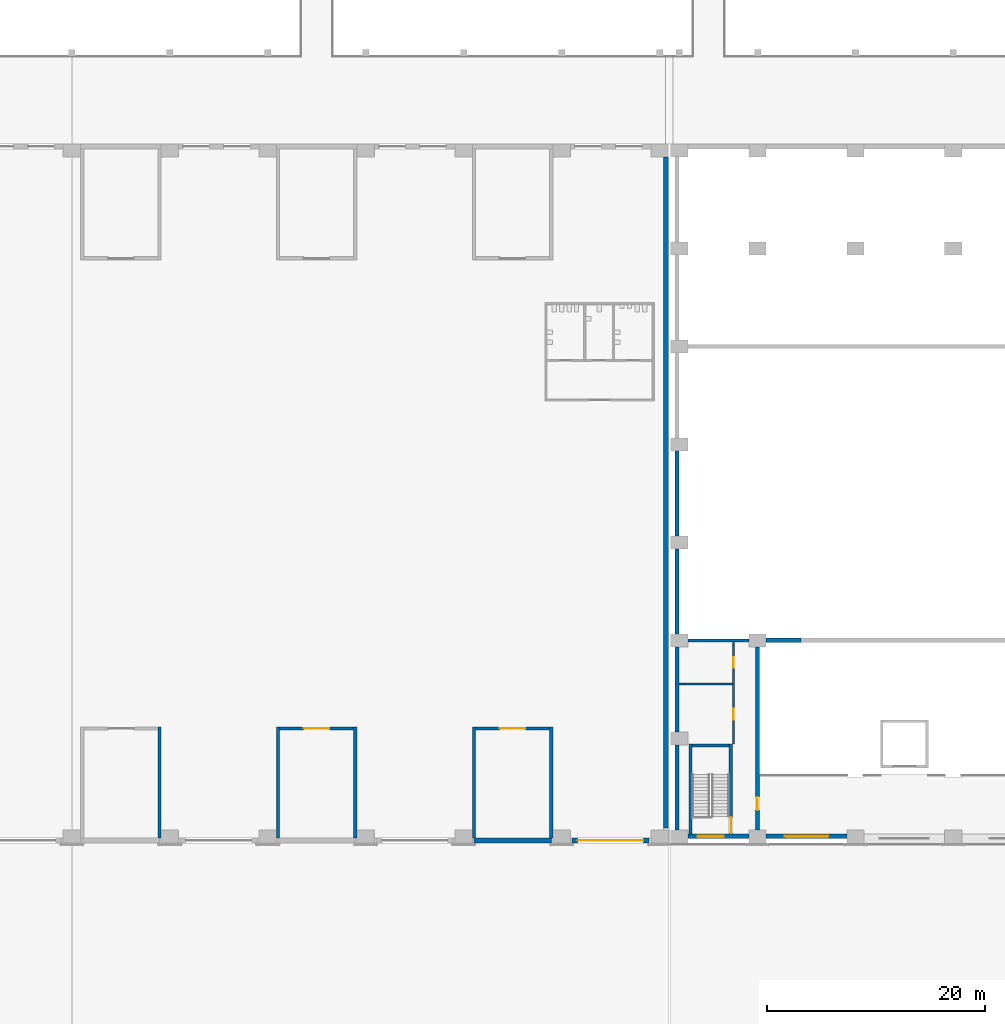
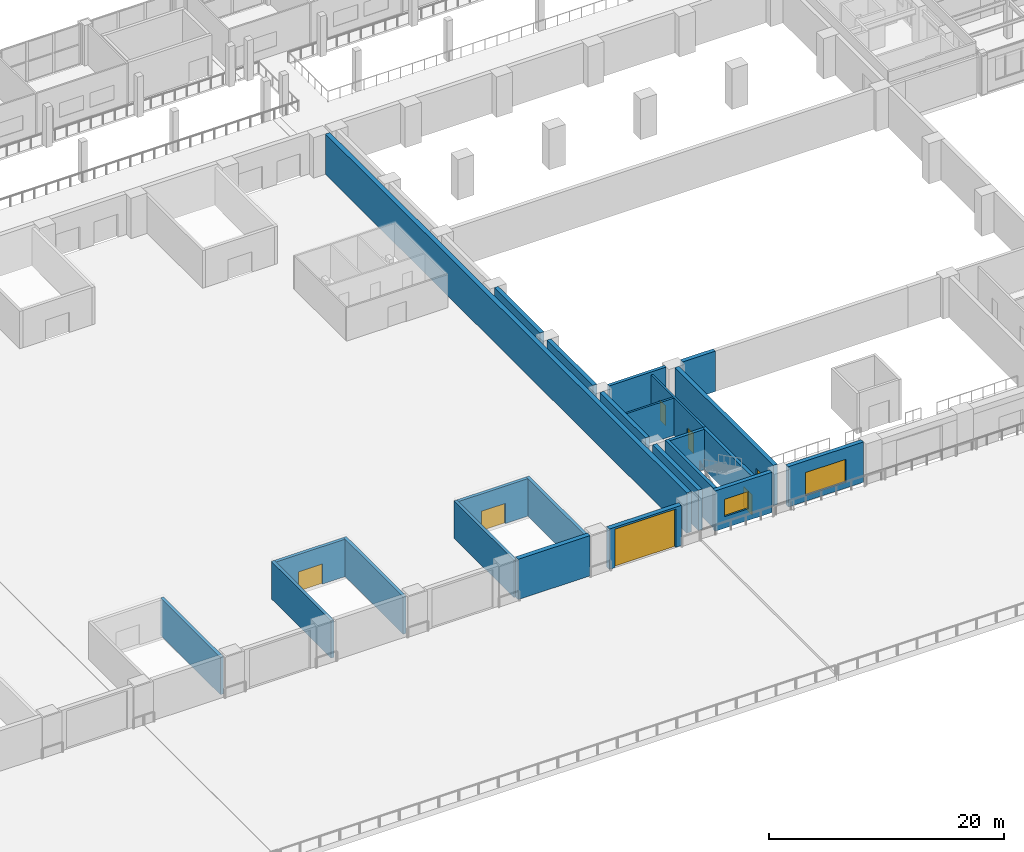
# One storey, part 16 of 39: 24 walls, 7 doors, 2 windows, 9 openings.
"""IFC4 building model written with IfcOpenShell, lengths in metres."""

from ifc_helpers import new_model, si_unit, direction, frame, frame_2d, origin, place, context, subcontext, project, spatial, rectangle, extrude, material, layer, layer_set, type_object, element, fill, save


model = new_model("IFC4")

# Units and contexts
model_context = context("Model", 3, precision=1e-05, world=origin(), true_north=direction((0.0, 1.0)))
body_context = subcontext(model_context, "Body", "Model", "MODEL_VIEW")
ifc_project = project(units=[si_unit("LENGTHUNIT", "METRE"), si_unit("AREAUNIT", "SQUARE_METRE"), si_unit("VOLUMEUNIT", "CUBIC_METRE"), si_unit("PLANEANGLEUNIT", "RADIAN"), si_unit("MASSUNIT", "GRAM", prefix="KILO")], contexts=[model_context])

# Site, building, storey
site_placement = place(None, origin())
site = spatial("IfcSite", under=ifc_project, at=site_placement, CompositionType="ELEMENT")
building_placement = place(site_placement, origin())
building = spatial("IfcBuilding", under=site, at=building_placement, Name="Aravalli Gate Trade Fair Centre", CompositionType="ELEMENT")
storey_placement = place(building_placement, frame((0.0, 0.0, 15.0)))
storey = spatial("IfcBuildingStorey", under=building, at=storey_placement, Name="L03", CompositionType="ELEMENT", Elevation=15.0)

# Walls
ifc_material_1 = material(Name="Concrete M40", Category="concrete")
ifc_layer_1 = layer(ifc_material_1, 0.300048828125)
ifc_layer_set_1 = layer_set([ifc_layer_1], Name="Concrete M40")
wall_type_1 = type_object("IfcWallType", Name="Congress RC wall 300", PredefinedType="SHEAR", material=ifc_layer_set_1)
wall_1_placement = place(storey_placement, frame((107.60009765625, 64.0, 0.0), z_axis=(0.0, 0.0, 1.0), x_axis=(1.0, 0.0, 0.0)))
element("IfcWall", 1, at=wall_1_placement, inside=storey, type_object=wall_type_1, Name="Stage wing north wall W L03", PredefinedType="SHEAR", context=body_context, shape_type="SweptSolid", body=[
    extrude(rectangle(XDim=5.599853515625, YDim=0.300048828125, at=frame_2d((2.7998046875, 0.0))), origin(), (0.0, 0.0, 1.0), 4.199951171875),
])
wall_2_placement = place(storey_placement, frame((107.85009765625, 46.199951171875, 0.0), z_axis=(0.0, 0.0, 1.0), x_axis=(0.0, 1.0, 0.0)))
element("IfcWall", 2, at=wall_2_placement, inside=storey, type_object=wall_type_1, Name="Stage Stair West wall W L03", PredefinedType="SHEAR", context=body_context, shape_type="SweptSolid", body=[
    extrude(rectangle(XDim=8.300048828125, YDim=0.300048828125, at=frame_2d((4.14990234375, 0.0))), origin(), (0.0, 0.0, 1.0), 4.199951171875),
])

# Wall, opening, door
wall_3_placement = place(storey_placement, frame((111.550048828125, 46.199951171875, 0.0), z_axis=(0.0, 0.0, 1.0), x_axis=(0.0, 1.0, 0.0)))
wall_3 = element("IfcWall", 3, at=wall_3_placement, inside=storey, type_object=wall_type_1, Name="Stage Stair West wall E L03", PredefinedType="SHEAR", context=body_context, shape_type="SweptSolid", body=[
    extrude(rectangle(XDim=8.300048828125, YDim=0.300048828125, at=frame_2d((4.14990234375, 0.0))), origin(), (0.0, 0.0, 1.0), 4.199951171875),
])
opening_1_placement = place(wall_3_placement, frame((0.0849609375, 0.0, 0.0)))
opening_1 = element("IfcOpeningElement", 4, at=opening_1_placement, cuts=wall_3, Name="Opening G-L03-04", PredefinedType="OPENING", context=body_context, shape_type="SweptSolid", body=[
    extrude(rectangle(XDim=1.449951171875, YDim=2.10009765625, at=frame_2d((0.72509765625, 1.050048828125))), frame((0.0, 0.159912109375, 0.0), z_axis=(0.0, -1.0, 0.0), x_axis=(1.0, 0.0, 0.0)), (0.0, 0.0, 1.0), 0.320068359375),
])
ifc_material_2 = material(Name="Steel, fire rated", Category="steel")
door_type_1 = type_object("IfcDoorType", Name="Congress fire door FD120 1450 x 2100", OperationType="SINGLE_SWING_LEFT", PredefinedType="DOOR", material=ifc_material_2)
door_1_placement = place(opening_1_placement, origin())
door_1 = element("IfcDoor", 5, at=door_1_placement, inside=storey, type_object=door_type_1, Name="Stage Stair West door L03", OperationType="SINGLE_SWING_LEFT", OverallHeight=2.10009765625, OverallWidth=1.449951171875, PredefinedType="DOOR", context=body_context, shape_type="SweptSolid", body=[
    extrude(rectangle(XDim=1.449951171875, YDim=2.10009765625, at=frame_2d((0.72509765625, 1.050048828125))), frame((0.0, 0.02490234375, 0.0), z_axis=(0.0, -1.0, 0.0), x_axis=(1.0, 0.0, 0.0)), (0.0, 0.0, 1.0), 0.050048828125),
])
fill(opening_1, door_1)

# Wall
wall_4_placement = place(storey_placement, frame((108.0, 54.35009765625, 0.0), z_axis=(0.0, 0.0, 1.0), x_axis=(1.0, 0.0, 0.0)))
element("IfcWall", 6, at=wall_4_placement, inside=storey, type_object=wall_type_1, Name="Stage Stair West wall N L03", PredefinedType="SHEAR", context=body_context, shape_type="SweptSolid", body=[
    extrude(rectangle(XDim=3.39990234375, YDim=0.300048828125, at=frame_2d((1.699951171875, 0.0))), origin(), (0.0, 0.0, 1.0), 4.199951171875),
])

# Wall, opening, door
ifc_layer_2 = layer(ifc_material_1, 0.39990234375)
ifc_layer_set_2 = layer_set([ifc_layer_2], Name="Concrete M40")
wall_type_2 = type_object("IfcWallType", Name="Congress RC wall 400", PredefinedType="SHEAR", material=ifc_layer_set_2)
wall_5_placement = place(storey_placement, frame((114.0, 46.60009765625, 0.0), z_axis=(0.0, 0.0, 1.0), x_axis=(0.0, 1.0, 0.0)))
wall_5 = element("IfcWall", 7, at=wall_5_placement, inside=storey, type_object=wall_type_2, Name="Stage house wall line 114 L03", PredefinedType="SHEAR", context=body_context, shape_type="SweptSolid", body=[
    extrude(rectangle(XDim=16.7998046875, YDim=0.39990234375, at=frame_2d((8.39990234375, 0.0))), origin(), (0.0, 0.0, 1.0), 4.199951171875),
])
opening_2_placement = place(wall_5_placement, frame((1.800048828125, 0.0, 0.0)))
opening_2 = element("IfcOpeningElement", 8, at=opening_2_placement, cuts=wall_5, Name="Opening G-L03-06", PredefinedType="OPENING", context=body_context, shape_type="SweptSolid", body=[
    extrude(rectangle(XDim=1.199951171875, YDim=2.10009765625, at=frame_2d((0.60009765625, 1.050048828125))), frame((0.0, 0.2099609375, 0.0), z_axis=(0.0, -1.0, 0.0), x_axis=(1.0, 0.0, 0.0)), (0.0, 0.0, 1.0), 0.419921875),
])
door_type_2 = type_object("IfcDoorType", Name="Congress fire door FD120 1200 x 2100", OperationType="SINGLE_SWING_LEFT", PredefinedType="DOOR", material=ifc_material_2)
door_2_placement = place(opening_2_placement, origin())
door_2 = element("IfcDoor", 9, at=door_2_placement, inside=storey, type_object=door_type_2, Name="Scenery gallery door west", OperationType="SINGLE_SWING_LEFT", OverallHeight=2.10009765625, OverallWidth=1.199951171875, PredefinedType="DOOR", context=body_context, shape_type="SweptSolid", body=[
    extrude(rectangle(XDim=1.199951171875, YDim=2.10009765625, at=frame_2d((0.60009765625, 1.050048828125))), frame((0.0, 0.02490234375, 0.0), z_axis=(0.0, -1.0, 0.0), x_axis=(1.0, 0.0, 0.0)), (0.0, 0.0, 1.0), 0.050048828125),
])
fill(opening_2, door_2)

# Walls
wall_6_placement = place(storey_placement, frame((114.800048828125, 64.0, 0.0), z_axis=(0.0, 0.0, 1.0), x_axis=(1.0, 0.0, 0.0)))
element("IfcWall", 10, at=wall_6_placement, inside=storey, type_object=wall_type_2, Name="Proscenium wall W L03", PredefinedType="SHEAR", context=body_context, shape_type="SweptSolid", body=[
    extrude(rectangle(XDim=3.199951171875, YDim=0.39990234375, at=frame_2d((1.60009765625, 0.0))), origin(), (0.0, 0.0, 1.0), 4.199951171875),
])
ifc_layer_3 = layer(ifc_material_1, 0.25, Name="Structural wall")
ifc_material_3 = material(Name="Ventilated air cavity")
ifc_layer_4 = layer(ifc_material_3, 0.050048828125, ventilated=True, Name="Ventilated cavity")
ifc_material_4 = material(Name="Terracotta rainscreen", Category="masonry")
ifc_layer_5 = layer(ifc_material_4, 0.10009765625, Name="Rainscreen cladding")
ifc_layer_set_3 = layer_set([ifc_layer_3, ifc_layer_4, ifc_layer_5], Name="Congress external wall 400")
wall_type_3 = type_object("IfcWallType", Name="Congress external wall 400", PredefinedType="SOLIDWALL", material=ifc_layer_set_3)
for number, where, z_axis, x_axis, name in (
    (11, (106.60009765625, 46.60009765625, 0.0), (0.0, 0.0, 1.0), (0.0, 1.0, 0.0), "West wall L03 bay 1"),
    (12, (106.60009765625, 55.60009765625, 0.0), (0.0, 0.0, 1.0), (0.0, 1.0, 0.0), "West wall L03 bay 2"),
    (13, (106.60009765625, 64.60009765625, 0.0), (0.0, 0.0, 1.0), (0.0, 1.0, 0.0), "West wall L03 bay 3"),
    (14, (106.60009765625, 73.60009765625, 0.0), (0.0, 0.0, 1.0), (0.0, 1.0, 0.0), "West wall L03 bay 4"),
):
    element("IfcWall", number, at=place(storey_placement, frame(where, z_axis=z_axis, x_axis=x_axis)), inside=storey, type_object=wall_type_3, Name=name, PredefinedType="SOLIDWALL", context=body_context, shape_type="SweptSolid", body=[
        extrude(rectangle(XDim=7.7998046875, YDim=0.39990234375, at=frame_2d((3.89990234375, 0.0))), origin(), (0.0, 0.0, 1.0), 4.199951171875),
    ])

# Wall, opening, window
wall_7_placement = place(storey_placement, frame((107.60009765625, 46.0, 0.0), z_axis=(0.0, 0.0, 1.0), x_axis=(1.0, 0.0, 0.0)))
wall_7 = element("IfcWall", 15, at=wall_7_placement, inside=storey, type_object=wall_type_3, Name="South wall L03 bay 1", PredefinedType="SOLIDWALL", context=body_context, shape_type="SweptSolid", body=[
    extrude(rectangle(XDim=5.599853515625, YDim=0.39990234375, at=frame_2d((2.7998046875, 0.0))), origin(), (0.0, 0.0, 1.0), 4.199951171875),
])
opening_3_placement = place(wall_7_placement, frame((0.89990234375, 0.0, 1.199951171875)))
opening_3 = element("IfcOpeningElement", 16, at=opening_3_placement, cuts=wall_7, Name="Opening GWN4", PredefinedType="OPENING", context=body_context, shape_type="SweptSolid", body=[
    extrude(rectangle(XDim=2.39990234375, YDim=1.800048828125, at=frame_2d((1.199951171875, 0.89990234375))), frame((0.0, 0.2099609375, 0.0), z_axis=(0.0, -1.0, 0.0), x_axis=(1.0, 0.0, 0.0)), (0.0, 0.0, 1.0), 0.419921875),
])
ifc_material_5 = material(Name="Aluminium and glass", Category="aluminium")
window_type_1 = type_object("IfcWindowType", Name="Congress wing window 2400 x 1800", PartitioningType="DOUBLE_PANEL_VERTICAL", PredefinedType="WINDOW", material=ifc_material_5)
window_1_placement = place(opening_3_placement, origin())
window_1 = element("IfcWindow", 17, at=window_1_placement, inside=storey, type_object=window_type_1, Name="South window L03 bay 1", OverallHeight=1.800048828125, OverallWidth=2.39990234375, PartitioningType="SINGLE_PANEL", PredefinedType="WINDOW", context=body_context, shape_type="SweptSolid", body=[
    extrude(rectangle(XDim=2.39990234375, YDim=1.800048828125, at=frame_2d((1.199951171875, 0.89990234375))), frame((0.0, 0.030029296875, 0.0), z_axis=(0.0, -1.0, 0.0), x_axis=(1.0, 0.0, 0.0)), (0.0, 0.0, 1.0), 0.06005859375),
])
fill(opening_3, window_1)

wall_8_placement = place(storey_placement, frame((114.800048828125, 46.0, 0.0), z_axis=(0.0, 0.0, 1.0), x_axis=(1.0, 0.0, 0.0)))
wall_8 = element("IfcWall", 18, at=wall_8_placement, inside=storey, type_object=wall_type_3, Name="South wall L03 bay 2", PredefinedType="SOLIDWALL", context=body_context, shape_type="SweptSolid", body=[
    extrude(rectangle(XDim=7.39990234375, YDim=0.39990234375, at=frame_2d((3.699951171875, 0.0))), origin(), (0.0, 0.0, 1.0), 4.199951171875),
])
opening_4_placement = place(wall_8_placement, frame((1.699951171875, 0.0, 0.60009765625)))
opening_4 = element("IfcOpeningElement", 19, at=opening_4_placement, cuts=wall_8, Name="Opening GLV1", PredefinedType="OPENING", context=body_context, shape_type="SweptSolid", body=[
    extrude(rectangle(XDim=4.0, YDim=2.39990234375, at=frame_2d((2.0, 1.199951171875))), frame((0.0, 0.2099609375, 0.0), z_axis=(0.0, -1.0, 0.0), x_axis=(1.0, 0.0, 0.0)), (0.0, 0.0, 1.0), 0.419921875),
])
ifc_material_6 = material(Name="Aluminium", Category="aluminium")
window_type_2 = type_object("IfcWindowType", Name="Congress louvre 4000 x 2400", PartitioningType="SINGLE_PANEL", PredefinedType="USERDEFINED", material=ifc_material_6)
window_2_placement = place(opening_4_placement, origin())
window_2 = element("IfcWindow", 20, at=window_2_placement, inside=storey, type_object=window_type_2, Name="Stage house relief louvre", ObjectType="LOUVRE", OverallHeight=2.39990234375, OverallWidth=4.0, PartitioningType="SINGLE_PANEL", PredefinedType="USERDEFINED", context=body_context, shape_type="SweptSolid", body=[
    extrude(rectangle(XDim=4.0, YDim=2.39990234375, at=frame_2d((2.0, 1.199951171875))), frame((0.0, 0.030029296875, 0.0), z_axis=(0.0, -1.0, 0.0), x_axis=(1.0, 0.0, 0.0)), (0.0, 0.0, 1.0), 0.06005859375),
])
fill(opening_4, window_2)

# Wall, openings, doors
ifc_material_7 = material(Name="Concrete block masonry", Category="masonry")
ifc_layer_6 = layer(ifc_material_7, 0.199951171875)
ifc_layer_set_4 = layer_set([ifc_layer_6], Name="Concrete block masonry")
wall_type_4 = type_object("IfcWallType", Name="Congress partition 200", PredefinedType="PARTITIONING", material=ifc_layer_set_4)
wall_9_placement = place(storey_placement, frame((111.800048828125, 54.5, 0.0), z_axis=(0.0, 0.0, 1.0), x_axis=(0.0, 1.0, 0.0)))
wall_9 = element("IfcWall", 21, at=wall_9_placement, inside=storey, type_object=wall_type_4, Name="Wing partition W L03", PredefinedType="PARTITIONING", context=body_context, shape_type="SweptSolid", body=[
    extrude(rectangle(XDim=9.35009765625, YDim=0.199951171875, at=frame_2d((4.675048828125, 0.0))), origin(), (0.0, 0.0, 1.0), 3.89990234375),
])
opening_5_placement = place(wall_9_placement, frame((2.199951171875, 0.0, 0.0)))
opening_5 = element("IfcOpeningElement", 22, at=opening_5_placement, cuts=wall_9, Name="Opening G-L03-08", PredefinedType="OPENING", context=body_context, shape_type="SweptSolid", body=[
    extrude(rectangle(XDim=1.0, YDim=2.10009765625, at=frame_2d((0.5, 1.050048828125))), frame((0.0, 0.10986328125, 0.0), z_axis=(0.0, -1.0, 0.0), x_axis=(1.0, 0.0, 0.0)), (0.0, 0.0, 1.0), 0.219970703125),
])
opening_6_placement = place(wall_9_placement, frame((6.97509765625, 0.0, 0.0)))
opening_6 = element("IfcOpeningElement", 23, at=opening_6_placement, cuts=wall_9, Name="Opening G-L03-09", PredefinedType="OPENING", context=body_context, shape_type="SweptSolid", body=[
    extrude(rectangle(XDim=1.0, YDim=2.10009765625, at=frame_2d((0.5, 1.050048828125))), frame((0.0, 0.10986328125, 0.0), z_axis=(0.0, -1.0, 0.0), x_axis=(1.0, 0.0, 0.0)), (0.0, 0.0, 1.0), 0.219970703125),
])
door_type_3 = type_object("IfcDoorType", Name="Congress fire door FD60 1000 x 2100", OperationType="SINGLE_SWING_LEFT", PredefinedType="DOOR", material=ifc_material_2)
door_3_placement = place(opening_5_placement, origin())
door_3 = element("IfcDoor", 24, at=door_3_placement, inside=storey, type_object=door_type_3, Name="Wing room door W L03 a", OperationType="SINGLE_SWING_LEFT", OverallHeight=2.10009765625, OverallWidth=1.0, PredefinedType="DOOR", context=body_context, shape_type="SweptSolid", body=[
    extrude(rectangle(XDim=1.0, YDim=2.10009765625, at=frame_2d((0.5, 1.050048828125))), frame((0.0, 0.02490234375, 0.0), z_axis=(0.0, -1.0, 0.0), x_axis=(1.0, 0.0, 0.0)), (0.0, 0.0, 1.0), 0.050048828125),
])
fill(opening_5, door_3)
door_4_placement = place(opening_6_placement, origin())
door_4 = element("IfcDoor", 25, at=door_4_placement, inside=storey, type_object=door_type_3, Name="Wing room door W L03 b", OperationType="SINGLE_SWING_RIGHT", OverallHeight=2.10009765625, OverallWidth=1.0, PredefinedType="DOOR", context=body_context, shape_type="SweptSolid", body=[
    extrude(rectangle(XDim=1.0, YDim=2.10009765625, at=frame_2d((0.5, 1.050048828125))), frame((0.0, 0.02490234375, 0.0), z_axis=(0.0, -1.0, 0.0), x_axis=(1.0, 0.0, 0.0)), (0.0, 0.0, 1.0), 0.050048828125),
])
fill(opening_6, door_4)

# Walls
wall_10_placement = place(storey_placement, frame((106.800048828125, 60.0, 0.0), z_axis=(0.0, 0.0, 1.0), x_axis=(1.0, 0.0, 0.0)))
element("IfcWall", 26, at=wall_10_placement, inside=storey, type_object=wall_type_4, Name="Wing room partition W L03", PredefinedType="PARTITIONING", context=body_context, shape_type="SweptSolid", body=[
    extrude(rectangle(XDim=4.89990234375, YDim=0.199951171875, at=frame_2d((2.449951171875, 0.0))), origin(), (0.0, 0.0, 1.0), 3.89990234375),
])
ifc_layer_7 = layer(ifc_material_1, 0.25, Name="Structural wall")
ifc_layer_8 = layer(ifc_material_3, 0.10009765625, ventilated=True, Name="Ventilated cavity")
ifc_layer_9 = layer(ifc_material_4, 0.10009765625, Name="Rainscreen cladding")
ifc_layer_set_5 = layer_set([ifc_layer_7, ifc_layer_8, ifc_layer_9], Name="Hall external wall 450")
wall_type_5 = type_object("IfcWallType", Name="Hall external wall 450", PredefinedType="SOLIDWALL", material=ifc_layer_set_5)
wall_11_placement = place(storey_placement, frame((87.949951171875, 45.625, 0.0), z_axis=(0.0, 0.0, 1.0), x_axis=(1.0, 0.0, 0.0)))
element("IfcWall", 27, at=wall_11_placement, inside=storey, type_object=wall_type_5, Name="Hall south wall bay 10 L03", PredefinedType="SOLIDWALL", context=body_context, shape_type="SweptSolid", body=[
    extrude(rectangle(XDim=7.10009765625, YDim=0.449951171875, at=frame_2d((3.550048828125, 0.0))), origin(), (0.0, 0.0, 1.0), 4.199951171875),
])

# Wall, opening, door
wall_12_placement = place(storey_placement, frame((96.949951171875, 45.625, 0.0), z_axis=(0.0, 0.0, 1.0), x_axis=(1.0, 0.0, 0.0)))
wall_12 = element("IfcWall", 28, at=wall_12_placement, inside=storey, type_object=wall_type_5, Name="Hall south wall bay 11 L03", PredefinedType="SOLIDWALL", context=body_context, shape_type="SweptSolid", body=[
    extrude(rectangle(XDim=7.10009765625, YDim=0.449951171875, at=frame_2d((3.550048828125, 0.0))), origin(), (0.0, 0.0, 1.0), 4.199951171875),
])
opening_7_placement = place(wall_12_placement, frame((0.550048828125, 0.0, 0.0)))
opening_7 = element("IfcOpeningElement", 29, at=opening_7_placement, cuts=wall_12, Name="Opening H-L03-16", PredefinedType="OPENING", context=body_context, shape_type="SweptSolid", body=[
    extrude(rectangle(XDim=6.0, YDim=4.0, at=frame_2d((3.0, 2.0))), frame((0.0, 0.23486328125, 0.0), z_axis=(0.0, -1.0, 0.0), x_axis=(1.0, 0.0, 0.0)), (0.0, 0.0, 1.0), 0.469970703125),
])
ifc_material_8 = material(Name="Steel", Category="steel")
door_type_4 = type_object("IfcDoorType", Name="Drive-in rolling shutter 6000x4000", OperationType="ROLLINGUP", PredefinedType="DOOR", material=ifc_material_8)
door_5_placement = place(opening_7_placement, frame((6.0, 0.0, 0.0), z_axis=(0.0, 0.0, 1.0), x_axis=(-1.0, 0.0, 0.0)))
door_5 = element("IfcDoor", 30, at=door_5_placement, inside=storey, type_object=door_type_4, Name="Drive-in shutter bay 11", OperationType="ROLLINGUP", OverallHeight=4.0, OverallWidth=6.0, PredefinedType="DOOR", context=body_context, shape_type="SweptSolid", body=[
    extrude(rectangle(XDim=6.0, YDim=4.0, at=frame_2d((3.0, 2.0))), frame((0.0, 0.02490234375, 0.0), z_axis=(0.0, -1.0, 0.0), x_axis=(1.0, 0.0, 0.0)), (0.0, 0.0, 1.0), 0.050048828125),
])
fill(opening_7, door_5)

# Walls
wall_13_placement = place(storey_placement, frame((105.574951171875, 46.75, 0.0), z_axis=(0.0, 0.0, 1.0), x_axis=(0.0, 1.0, 0.0)))
element("IfcWall", 31, at=wall_13_placement, inside=storey, type_object=wall_type_5, Name="Hall east wall L03", PredefinedType="SOLIDWALL", context=body_context, shape_type="SweptSolid", body=[
    extrude(rectangle(XDim=61.64990234375, YDim=0.449951171875, at=frame_2d((30.824951171875, 0.0))), origin(), (0.0, 0.0, 1.0), 4.199951171875),
])
ifc_layer_10 = layer(ifc_material_1, 0.300048828125)
ifc_layer_set_6 = layer_set([ifc_layer_10], Name="Concrete M40")
wall_type_6 = type_object("IfcWallType", Name="Stair tower wall RC 300", PredefinedType="SHEAR", material=ifc_layer_set_6)
for number, where, z_axis, x_axis, name in (
    (32, (59.050048828125, 45.85009765625, 0.0), (0.0, 0.0, 1.0), (0.0, 1.0, 0.0), "Stair tower S06 wall E L03"),
    (33, (69.949951171875, 45.85009765625, 0.0), (0.0, 0.0, 1.0), (0.0, 1.0, 0.0), "Stair tower S08 wall W L03"),
    (34, (77.050048828125, 45.85009765625, 0.0), (0.0, 0.0, 1.0), (0.0, 1.0, 0.0), "Stair tower S08 wall E L03"),
):
    element("IfcWall", number, at=place(storey_placement, frame(where, z_axis=z_axis, x_axis=x_axis)), inside=storey, type_object=wall_type_6, Name=name, PredefinedType="SHEAR", context=body_context, shape_type="SweptSolid", body=[
        extrude(rectangle(XDim=10.199951171875, YDim=0.300048828125, at=frame_2d((5.10009765625, 0.0))), origin(), (0.0, 0.0, 1.0), 3.89990234375),
    ])

# Wall, opening, door
wall_14_placement = place(storey_placement, frame((70.10009765625, 55.89990234375, 0.0), z_axis=(0.0, 0.0, 1.0), x_axis=(1.0, 0.0, 0.0)))
wall_14 = element("IfcWall", 35, at=wall_14_placement, inside=storey, type_object=wall_type_6, Name="Stair tower S08 wall F L03", PredefinedType="SHEAR", context=body_context, shape_type="SweptSolid", body=[
    extrude(rectangle(XDim=6.7998046875, YDim=0.300048828125, at=frame_2d((3.39990234375, 0.0))), origin(), (0.0, 0.0, 1.0), 3.89990234375),
])
opening_8_placement = place(wall_14_placement, frame((2.22509765625, 0.0, 0.0)))
opening_8 = element("IfcOpeningElement", 36, at=opening_8_placement, cuts=wall_14, Name="Opening H-L03-26", PredefinedType="OPENING", context=body_context, shape_type="SweptSolid", body=[
    extrude(rectangle(XDim=2.35009765625, YDim=2.10009765625, at=frame_2d((1.175048828125, 1.050048828125))), frame((0.0, 0.159912109375, 0.0), z_axis=(0.0, -1.0, 0.0), x_axis=(1.0, 0.0, 0.0)), (0.0, 0.0, 1.0), 0.320068359375),
])
door_type_5 = type_object("IfcDoorType", Name="Stair lobby double door FD120", OperationType="DOUBLE_DOOR_SINGLE_SWING", PredefinedType="DOOR", material=ifc_material_8)
door_6_placement = place(opening_8_placement, frame((2.35009765625, 0.0, 0.0), z_axis=(0.0, 0.0, 1.0), x_axis=(-1.0, 0.0, 0.0)))
door_6 = element("IfcDoor", 37, at=door_6_placement, inside=storey, type_object=door_type_5, Name="Exit door ST-S08 L03", OperationType="DOUBLE_DOOR_SINGLE_SWING", OverallHeight=2.10009765625, OverallWidth=2.35009765625, PredefinedType="DOOR", context=body_context, shape_type="SweptSolid", body=[
    extrude(rectangle(XDim=2.35009765625, YDim=2.10009765625, at=frame_2d((1.175048828125, 1.050048828125))), frame((0.0, 0.02490234375, 0.0), z_axis=(0.0, -1.0, 0.0), x_axis=(1.0, 0.0, 0.0)), (0.0, 0.0, 1.0), 0.050048828125),
])
fill(opening_8, door_6)

# Walls
for number, where, z_axis, x_axis, name in (
    (38, (87.949951171875, 45.85009765625, 0.0), (0.0, 0.0, 1.0), (0.0, 1.0, 0.0), "Stair tower S10 wall W L03"),
    (39, (95.050048828125, 45.85009765625, 0.0), (0.0, 0.0, 1.0), (0.0, 1.0, 0.0), "Stair tower S10 wall E L03"),
):
    element("IfcWall", number, at=place(storey_placement, frame(where, z_axis=z_axis, x_axis=x_axis)), inside=storey, type_object=wall_type_6, Name=name, PredefinedType="SHEAR", context=body_context, shape_type="SweptSolid", body=[
        extrude(rectangle(XDim=10.199951171875, YDim=0.300048828125, at=frame_2d((5.10009765625, 0.0))), origin(), (0.0, 0.0, 1.0), 3.89990234375),
    ])

# Wall, opening, door
wall_15_placement = place(storey_placement, frame((88.10009765625, 55.89990234375, 0.0), z_axis=(0.0, 0.0, 1.0), x_axis=(1.0, 0.0, 0.0)))
wall_15 = element("IfcWall", 40, at=wall_15_placement, inside=storey, type_object=wall_type_6, Name="Stair tower S10 wall F L03", PredefinedType="SHEAR", context=body_context, shape_type="SweptSolid", body=[
    extrude(rectangle(XDim=6.7998046875, YDim=0.300048828125, at=frame_2d((3.39990234375, 0.0))), origin(), (0.0, 0.0, 1.0), 3.89990234375),
])
opening_9_placement = place(wall_15_placement, frame((2.22509765625, 0.0, 0.0)))
opening_9 = element("IfcOpeningElement", 41, at=opening_9_placement, cuts=wall_15, Name="Opening H-L03-27", PredefinedType="OPENING", context=body_context, shape_type="SweptSolid", body=[
    extrude(rectangle(XDim=2.35009765625, YDim=2.10009765625, at=frame_2d((1.175048828125, 1.050048828125))), frame((0.0, 0.159912109375, 0.0), z_axis=(0.0, -1.0, 0.0), x_axis=(1.0, 0.0, 0.0)), (0.0, 0.0, 1.0), 0.320068359375),
])
door_7_placement = place(opening_9_placement, frame((2.35009765625, 0.0, 0.0), z_axis=(0.0, 0.0, 1.0), x_axis=(-1.0, 0.0, 0.0)))
door_7 = element("IfcDoor", 42, at=door_7_placement, inside=storey, type_object=door_type_5, Name="Exit door ST-S10 L03", OperationType="DOUBLE_DOOR_SINGLE_SWING", OverallHeight=2.10009765625, OverallWidth=2.35009765625, PredefinedType="DOOR", context=body_context, shape_type="SweptSolid", body=[
    extrude(rectangle(XDim=2.35009765625, YDim=2.10009765625, at=frame_2d((1.175048828125, 1.050048828125))), frame((0.0, 0.02490234375, 0.0), z_axis=(0.0, -1.0, 0.0), x_axis=(1.0, 0.0, 0.0)), (0.0, 0.0, 1.0), 0.050048828125),
])
fill(opening_9, door_7)

save(model, "model.ifc")
